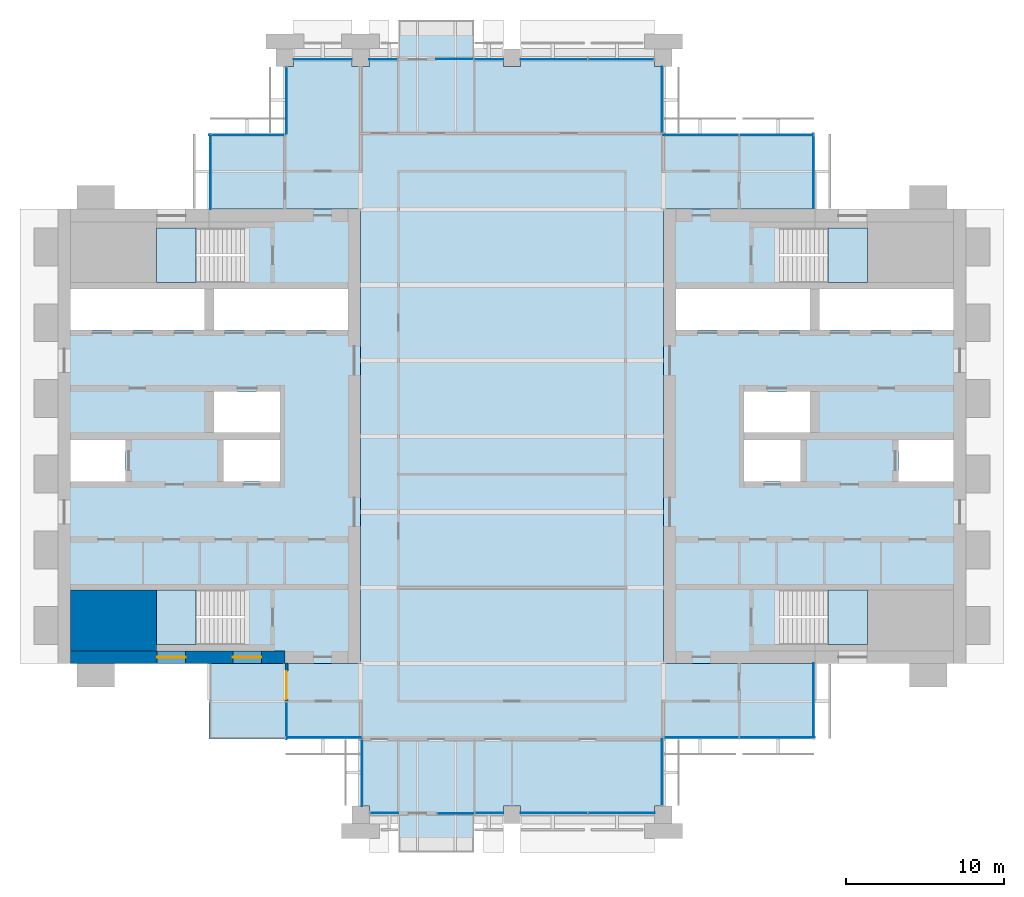
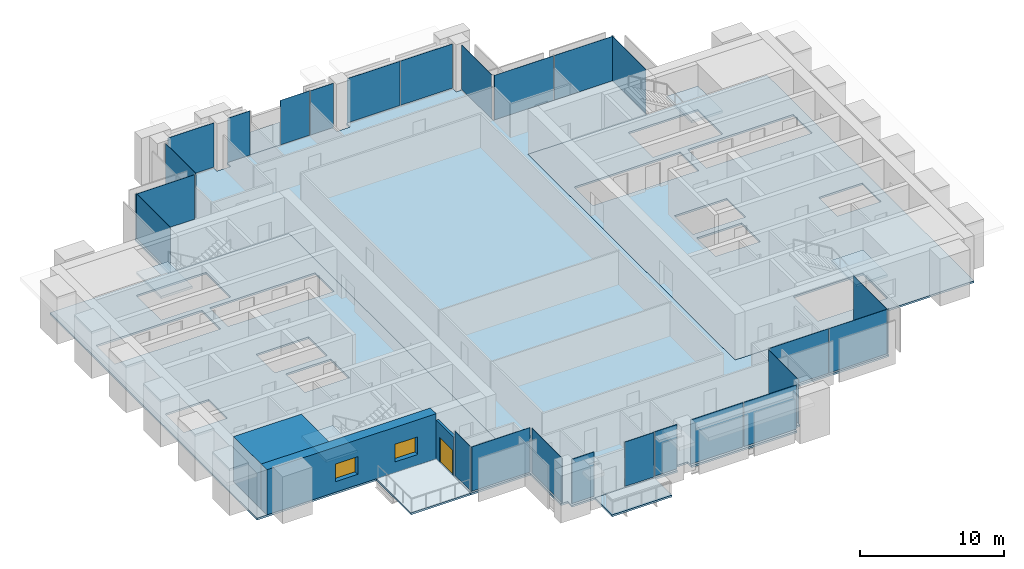
# One storey, part 7 of 14: 25 plates, 10 slabs, 3 walls, 2 windows, 1 door, 3 openings, 22 elements without a shape of their own.
"""IFC4 building model written with IfcOpenShell, lengths in metres."""

from ifc_helpers import new_model, si_unit, direction, frame, frame_2d, origin, origin_2d, place, context, subcontext, project, spatial, polyline, rectangle, outline, extrude, material, layer, layer_set, type_object, element, fill, aggregate, save


model = new_model("IFC4")

# Units and contexts
model_context = context("Model", 3, precision=1e-05, world=origin(), true_north=direction((0.0, 1.0)))
body_context = subcontext(model_context, "Body", "Model", "MODEL_VIEW")
ifc_project = project(units=[si_unit("LENGTHUNIT", "METRE"), si_unit("AREAUNIT", "SQUARE_METRE"), si_unit("VOLUMEUNIT", "CUBIC_METRE"), si_unit("PLANEANGLEUNIT", "RADIAN"), si_unit("MASSUNIT", "GRAM", prefix="KILO")], contexts=[model_context])

# Site, building, storey
site_placement = place(None, origin())
site = spatial("IfcSite", under=ifc_project, at=site_placement, CompositionType="ELEMENT")
building_placement = place(site_placement, origin())
building = spatial("IfcBuilding", under=site, at=building_placement, Name="Baori Bourse Tower", CompositionType="ELEMENT")
storey_placement = place(building_placement, frame((0.0, 0.0, 209.199951171875)))
storey = spatial("IfcBuildingStorey", under=building, at=storey_placement, Name="L45", CompositionType="ELEMENT", Elevation=209.199951171875)

# Slabs
ifc_material_1 = material(Name="Concrete f'c 40 MPa", Category="concrete")
ifc_layer_1 = layer(ifc_material_1, 0.159912109375)
ifc_layer_set_1 = layer_set([ifc_layer_1], Name="BL2 Balcony slab 160")
slab_type_1 = type_object("IfcSlabType", Name="BL2 Balcony slab 160", PredefinedType="FLOOR", material=ifc_layer_set_1)
slab_1_placement = place(storey_placement, frame((0.0, 0.0, -0.159912109375)))
element("IfcSlab", 1, at=slab_1_placement, inside=storey, type_object=slab_type_1, Name="Balcony slab L45 S", PredefinedType="FLOOR", context=body_context, shape_type="SweptSolid", body=[
    extrude(outline(polyline([(21.60009765625, 0.0), (21.60009765625, -2.39990234375), (26.39990234375, -2.39990234375), (26.39990234375, 0.0), (21.60009765625, 0.0)])), origin(), (0.0, 0.0, 1.0), 0.159912109375),
])
slab_2_placement = place(storey_placement, frame((0.0, 0.0, -0.159912109375)))
element("IfcSlab", 2, at=slab_2_placement, inside=storey, type_object=slab_type_1, Name="Balcony slab L45 N", PredefinedType="FLOOR", context=body_context, shape_type="SweptSolid", body=[
    extrude(outline(polyline([(21.60009765625, 48.0), (26.39990234375, 48.0), (26.39990234375, 50.39990234375), (21.60009765625, 50.39990234375), (21.60009765625, 48.0)])), origin(), (0.0, 0.0, 1.0), 0.159912109375),
])

# Curtain wall, plate
ifc_material_2 = material(Name="Pale anodised aluminium", Category="aluminium")
curtain_wall_type_1 = type_object("IfcCurtainWallType", Name="CW2 Curtain wall", PredefinedType="NOTDEFINED", material=ifc_material_2)
curtain_wall_1_placement = place(storey_placement, origin())
curtain_wall_1 = element("IfcCurtainWall", 3, at=curtain_wall_1_placement, inside=storey, type_object=curtain_wall_type_1, Name="Curtain wall CW2 L45 1", PredefinedType="NOTDEFINED")
ifc_material_3 = material(Name="Clear glass", Category="glass")
ifc_layer_2 = layer(ifc_material_3, 0.030029296875)
ifc_layer_set_2 = layer_set([ifc_layer_2], Name="CW2 Curtain wall panel")
plate_type_1 = type_object("IfcPlateType", Name="CW2 Curtain wall panel", PredefinedType="CURTAIN_PANEL", material=ifc_layer_set_2)
plate_1_placement = place(storey_placement, frame((47.909912109375, 40.827392578125, 0.070068359375), z_axis=(0.0, 0.0, 1.0), x_axis=(0.0, 1.0, 0.0)))
plate_1 = element("IfcPlate", 4, at=plate_1_placement, type_object=plate_type_1, Name="Curtain wall CW2 panel", PredefinedType="CURTAIN_PANEL", context=body_context, shape_type="SweptSolid", body=[
    extrude(rectangle(XDim=4.7451171875, YDim=0.030029296875, at=origin_2d()), origin(), (0.0, 0.0, 1.0), 3.77001953125),
])
aggregate(curtain_wall_1, [plate_1])

# Curtain wall, plates
curtain_wall_2_placement = place(storey_placement, origin())
curtain_wall_2 = element("IfcCurtainWall", 5, at=curtain_wall_2_placement, inside=storey, type_object=curtain_wall_type_1, Name="Curtain wall CW2 L45 2", PredefinedType="NOTDEFINED")
plate_2_placement = place(storey_placement, frame((45.586181640625, 43.110107421875, 0.070068359375), z_axis=(0.0, 0.0, 1.0), x_axis=(-1.0, 0.0, 0.0)))
plate_2 = element("IfcPlate", 6, at=plate_2_placement, type_object=plate_type_1, Name="Curtain wall CW2 panel", PredefinedType="CURTAIN_PANEL", context=body_context, shape_type="SweptSolid", body=[
    extrude(rectangle(XDim=4.717529296875, YDim=0.030029296875, at=origin_2d()), origin(), (0.0, 0.0, 1.0), 3.77001953125),
])
plate_3_placement = place(storey_placement, frame((40.7861328125, 43.110107421875, 0.070068359375), z_axis=(0.0, 0.0, 1.0), x_axis=(-1.0, 0.0, 0.0)))
plate_3 = element("IfcPlate", 7, at=plate_3_placement, type_object=plate_type_1, Name="Curtain wall CW2 panel", PredefinedType="CURTAIN_PANEL", context=body_context, shape_type="SweptSolid", body=[
    extrude(rectangle(XDim=4.7724609375, YDim=0.030029296875, at=origin_2d()), origin(), (0.0, 0.0, 1.0), 3.77001953125),
])
aggregate(curtain_wall_2, [plate_2, plate_3])

# Curtain wall, plate
curtain_wall_3_placement = place(storey_placement, origin())
curtain_wall_3 = element("IfcCurtainWall", 8, at=curtain_wall_3_placement, inside=storey, type_object=curtain_wall_type_1, Name="Curtain wall CW2 L45 3", PredefinedType="NOTDEFINED")
plate_4_placement = place(storey_placement, frame((38.31005859375, 45.3525390625, 0.070068359375), z_axis=(0.0, 0.0, 1.0), x_axis=(0.0, 1.0, 0.0)))
plate_4 = element("IfcPlate", 9, at=plate_4_placement, type_object=plate_type_1, Name="Curtain wall CW2 panel", PredefinedType="CURTAIN_PANEL", context=body_context, shape_type="SweptSolid", body=[
    extrude(rectangle(XDim=4.195068359375, YDim=0.030029296875, at=origin_2d()), origin(), (0.0, 0.0, 1.0), 3.77001953125),
])
aggregate(curtain_wall_3, [plate_4])

curtain_wall_4_placement = place(storey_placement, origin())
curtain_wall_4 = element("IfcCurtainWall", 10, at=curtain_wall_4_placement, inside=storey, type_object=curtain_wall_type_1, Name="Curtain wall CW2 L45 7", PredefinedType="NOTDEFINED")
plate_5_placement = place(storey_placement, frame((14.489990234375, 45.297607421875, 0.070068359375), z_axis=(0.0, 0.0, 1.0), x_axis=(0.0, -1.0, 0.0)))
plate_5 = element("IfcPlate", 11, at=plate_5_placement, type_object=plate_type_1, Name="Curtain wall CW2 panel", PredefinedType="CURTAIN_PANEL", context=body_context, shape_type="SweptSolid", body=[
    extrude(rectangle(XDim=4.195068359375, YDim=0.030029296875, at=origin_2d()), origin(), (0.0, 0.0, 1.0), 3.77001953125),
])
aggregate(curtain_wall_4, [plate_5])

curtain_wall_5_placement = place(storey_placement, origin())
curtain_wall_5 = element("IfcCurtainWall", 12, at=curtain_wall_5_placement, inside=storey, type_object=curtain_wall_type_1, Name="Curtain wall CW2 L45 8", PredefinedType="NOTDEFINED")
plate_6_placement = place(storey_placement, frame((11.972412109375, 43.110107421875, 0.070068359375), z_axis=(0.0, 0.0, 1.0), x_axis=(-1.0, 0.0, 0.0)))
plate_6 = element("IfcPlate", 13, at=plate_6_placement, type_object=plate_type_1, Name="Curtain wall CW2 panel", PredefinedType="CURTAIN_PANEL", context=body_context, shape_type="SweptSolid", body=[
    extrude(rectangle(XDim=4.7451171875, YDim=0.030029296875, at=origin_2d()), origin(), (0.0, 0.0, 1.0), 3.77001953125),
])
aggregate(curtain_wall_5, [plate_6])

curtain_wall_6_placement = place(storey_placement, origin())
curtain_wall_6 = element("IfcCurtainWall", 14, at=curtain_wall_6_placement, inside=storey, type_object=curtain_wall_type_1, Name="Curtain wall CW2 L45 9", PredefinedType="NOTDEFINED")
plate_7_placement = place(storey_placement, frame((9.68994140625, 40.7724609375, 0.070068359375), z_axis=(0.0, 0.0, 1.0), x_axis=(0.0, -1.0, 0.0)))
plate_7 = element("IfcPlate", 15, at=plate_7_placement, type_object=plate_type_1, Name="Curtain wall CW2 panel", PredefinedType="CURTAIN_PANEL", context=body_context, shape_type="SweptSolid", body=[
    extrude(rectangle(XDim=4.7451171875, YDim=0.030029296875, at=origin_2d()), origin(), (0.0, 0.0, 1.0), 3.77001953125),
])
aggregate(curtain_wall_6, [plate_7])

curtain_wall_7_placement = place(storey_placement, origin())
curtain_wall_7 = element("IfcCurtainWall", 16, at=curtain_wall_7_placement, inside=storey, type_object=curtain_wall_type_1, Name="Curtain wall CW2 L45 10", PredefinedType="NOTDEFINED")
plate_8_placement = place(storey_placement, frame((14.489990234375, 5.972412109375, 0.070068359375), z_axis=(0.0, 0.0, 1.0), x_axis=(0.0, -1.0, 0.0)))
plate_8 = element("IfcPlate", 17, at=plate_8_placement, type_object=plate_type_1, Name="Curtain wall CW2 panel", PredefinedType="CURTAIN_PANEL", context=body_context, shape_type="SweptSolid", body=[
    extrude(rectangle(XDim=2.344970703125, YDim=0.030029296875, at=origin_2d()), origin(), (0.0, 0.0, 1.0), 3.77001953125),
])
aggregate(curtain_wall_7, [plate_8])

curtain_wall_8_placement = place(storey_placement, origin())
curtain_wall_8 = element("IfcCurtainWall", 18, at=curtain_wall_8_placement, inside=storey, type_object=curtain_wall_type_1, Name="Curtain wall CW2 L45 11", PredefinedType="NOTDEFINED")
plate_9_placement = place(storey_placement, frame((16.827392578125, 4.889892578125, 0.070068359375), z_axis=(0.0, 0.0, 1.0), x_axis=(1.0, 0.0, 0.0)))
plate_9 = element("IfcPlate", 19, at=plate_9_placement, type_object=plate_type_1, Name="Curtain wall CW2 panel", PredefinedType="CURTAIN_PANEL", context=body_context, shape_type="SweptSolid", body=[
    extrude(rectangle(XDim=4.7451171875, YDim=0.030029296875, at=origin_2d()), origin(), (0.0, 0.0, 1.0), 3.77001953125),
])
aggregate(curtain_wall_8, [plate_9])

curtain_wall_9_placement = place(storey_placement, origin())
curtain_wall_9 = element("IfcCurtainWall", 20, at=curtain_wall_9_placement, inside=storey, type_object=curtain_wall_type_1, Name="Curtain wall CW2 L45 12", PredefinedType="NOTDEFINED")
plate_10_placement = place(storey_placement, frame((19.2900390625, 2.6474609375, 0.070068359375), z_axis=(0.0, 0.0, 1.0), x_axis=(0.0, -1.0, 0.0)))
plate_10 = element("IfcPlate", 21, at=plate_10_placement, type_object=plate_type_1, Name="Curtain wall CW2 panel", PredefinedType="CURTAIN_PANEL", context=body_context, shape_type="SweptSolid", body=[
    extrude(rectangle(XDim=4.195068359375, YDim=0.030029296875, at=origin_2d()), origin(), (0.0, 0.0, 1.0), 3.77001953125),
])
aggregate(curtain_wall_9, [plate_10])

curtain_wall_10_placement = place(storey_placement, origin())
curtain_wall_10 = element("IfcCurtainWall", 22, at=curtain_wall_10_placement, inside=storey, type_object=curtain_wall_type_1, Name="Curtain wall CW2 L45 16", PredefinedType="NOTDEFINED")
plate_11_placement = place(storey_placement, frame((38.31005859375, 2.702392578125, 0.070068359375), z_axis=(0.0, 0.0, 1.0), x_axis=(0.0, 1.0, 0.0)))
plate_11 = element("IfcPlate", 23, at=plate_11_placement, type_object=plate_type_1, Name="Curtain wall CW2 panel", PredefinedType="CURTAIN_PANEL", context=body_context, shape_type="SweptSolid", body=[
    extrude(rectangle(XDim=4.195068359375, YDim=0.030029296875, at=origin_2d()), origin(), (0.0, 0.0, 1.0), 3.77001953125),
])
aggregate(curtain_wall_10, [plate_11])

# Curtain wall, plates
curtain_wall_11_placement = place(storey_placement, origin())
curtain_wall_11 = element("IfcCurtainWall", 24, at=curtain_wall_11_placement, inside=storey, type_object=curtain_wall_type_1, Name="Curtain wall CW2 L45 17", PredefinedType="NOTDEFINED")
plate_12_placement = place(storey_placement, frame((40.813720703125, 4.889892578125, 0.070068359375), z_axis=(0.0, 0.0, 1.0), x_axis=(1.0, 0.0, 0.0)))
plate_12 = element("IfcPlate", 25, at=plate_12_placement, type_object=plate_type_1, Name="Curtain wall CW2 panel", PredefinedType="CURTAIN_PANEL", context=body_context, shape_type="SweptSolid", body=[
    extrude(rectangle(XDim=4.717529296875, YDim=0.030029296875, at=origin_2d()), origin(), (0.0, 0.0, 1.0), 3.77001953125),
])
plate_13_placement = place(storey_placement, frame((45.61376953125, 4.889892578125, 0.070068359375), z_axis=(0.0, 0.0, 1.0), x_axis=(1.0, 0.0, 0.0)))
plate_13 = element("IfcPlate", 26, at=plate_13_placement, type_object=plate_type_1, Name="Curtain wall CW2 panel", PredefinedType="CURTAIN_PANEL", context=body_context, shape_type="SweptSolid", body=[
    extrude(rectangle(XDim=4.7724609375, YDim=0.030029296875, at=origin_2d()), origin(), (0.0, 0.0, 1.0), 3.77001953125),
])
aggregate(curtain_wall_11, [plate_12, plate_13])

# Curtain wall, plate
curtain_wall_12_placement = place(storey_placement, origin())
curtain_wall_12 = element("IfcCurtainWall", 27, at=curtain_wall_12_placement, inside=storey, type_object=curtain_wall_type_1, Name="Curtain wall CW2 L45 18", PredefinedType="NOTDEFINED")
plate_14_placement = place(storey_placement, frame((47.909912109375, 7.2275390625, 0.070068359375), z_axis=(0.0, 0.0, 1.0), x_axis=(0.0, 1.0, 0.0)))
plate_14 = element("IfcPlate", 28, at=plate_14_placement, type_object=plate_type_1, Name="Curtain wall CW2 panel", PredefinedType="CURTAIN_PANEL", context=body_context, shape_type="SweptSolid", body=[
    extrude(rectangle(XDim=4.7451171875, YDim=0.030029296875, at=origin_2d()), origin(), (0.0, 0.0, 1.0), 3.77001953125),
])
aggregate(curtain_wall_12, [plate_14])

# Curtain wall, plates
ifc_material_4 = material(Name="Pale anodised aluminium", Category="aluminium")
curtain_wall_type_2 = type_object("IfcCurtainWallType", Name="CW5 Curtain wall", PredefinedType="NOTDEFINED", material=ifc_material_4)
curtain_wall_13_placement = place(storey_placement, origin())
curtain_wall_13 = element("IfcCurtainWall", 29, at=curtain_wall_13_placement, inside=storey, type_object=curtain_wall_type_2, Name="Curtain wall CW5 L45 4", PredefinedType="NOTDEFINED")
ifc_material_5 = material(Name="Clear glass", Category="glass")
ifc_layer_3 = layer(ifc_material_5, 0.035888671875)
ifc_layer_set_3 = layer_set([ifc_layer_3], Name="CW5 Curtain wall panel")
plate_type_2 = type_object("IfcPlateType", Name="CW5 Curtain wall panel", PredefinedType="CURTAIN_PANEL", material=ifc_layer_set_3)
plate_15_placement = place(storey_placement, frame((35.708740234375, 47.889892578125, 0.085205078125), z_axis=(0.0, 0.0, 1.0), x_axis=(-1.0, 0.0, 0.0)))
plate_15 = element("IfcPlate", 30, at=plate_15_placement, type_object=plate_type_2, Name="Curtain wall CW5 panel", PredefinedType="CURTAIN_PANEL", context=body_context, shape_type="SweptSolid", body=[
    extrude(rectangle(XDim=4.152587890625, YDim=0.035888671875, at=origin_2d()), origin(), (0.0, 0.0, 1.0), 3.7548828125),
])
plate_16_placement = place(storey_placement, frame((31.458740234375, 47.889892578125, 0.085205078125), z_axis=(0.0, 0.0, 1.0), x_axis=(-1.0, 0.0, 0.0)))
plate_16 = element("IfcPlate", 31, at=plate_16_placement, type_object=plate_type_2, Name="Curtain wall CW5 panel", PredefinedType="CURTAIN_PANEL", context=body_context, shape_type="SweptSolid", body=[
    extrude(rectangle(XDim=4.217529296875, YDim=0.035888671875, at=origin_2d()), origin(), (0.0, 0.0, 1.0), 3.7548828125),
])
plate_17_placement = place(storey_placement, frame((27.324951171875, 47.889892578125, 0.085205078125), z_axis=(0.0, 0.0, 1.0), x_axis=(-1.0, 0.0, 0.0)))
plate_17 = element("IfcPlate", 32, at=plate_17_placement, type_object=plate_type_2, Name="Curtain wall CW5 panel", PredefinedType="CURTAIN_PANEL", context=body_context, shape_type="SweptSolid", body=[
    extrude(rectangle(XDim=1.85009765625, YDim=0.035888671875, at=origin_2d()), origin(), (0.0, 0.0, 1.0), 3.7548828125),
])
aggregate(curtain_wall_13, [plate_15, plate_16, plate_17])

curtain_wall_14_placement = place(storey_placement, origin())
curtain_wall_14 = element("IfcCurtainWall", 33, at=curtain_wall_14_placement, inside=storey, type_object=curtain_wall_type_2, Name="Curtain wall CW5 L45 6", PredefinedType="NOTDEFINED")
plate_18_placement = place(storey_placement, frame((20.642578125, 47.889892578125, 0.085205078125), z_axis=(0.0, 0.0, 1.0), x_axis=(-1.0, 0.0, 0.0)))
plate_18 = element("IfcPlate", 34, at=plate_18_placement, type_object=plate_type_2, Name="Curtain wall CW5 panel", PredefinedType="CURTAIN_PANEL", context=body_context, shape_type="SweptSolid", body=[
    extrude(rectangle(XDim=1.784912109375, YDim=0.035888671875, at=origin_2d()), origin(), (0.0, 0.0, 1.0), 3.7548828125),
])
plate_19_placement = place(storey_placement, frame((16.800048828125, 47.889892578125, 0.085205078125), z_axis=(0.0, 0.0, 1.0), x_axis=(-1.0, 0.0, 0.0)))
plate_19 = element("IfcPlate", 35, at=plate_19_placement, type_object=plate_type_2, Name="Curtain wall CW5 panel", PredefinedType="CURTAIN_PANEL", context=body_context, shape_type="SweptSolid", body=[
    extrude(rectangle(XDim=3.699951171875, YDim=0.035888671875, at=origin_2d()), origin(), (0.0, 0.0, 1.0), 3.7548828125),
])
aggregate(curtain_wall_14, [plate_18, plate_19])

# Curtain wall, plate
curtain_wall_15_placement = place(storey_placement, origin())
curtain_wall_15 = element("IfcCurtainWall", 36, at=curtain_wall_15_placement, inside=storey, type_object=curtain_wall_type_2, Name="Curtain wall CW5 L45 13", PredefinedType="NOTDEFINED")
plate_20_placement = place(storey_placement, frame((20.70751953125, 0.110107421875, 0.085205078125), z_axis=(0.0, 0.0, 1.0), x_axis=(1.0, 0.0, 0.0)))
plate_20 = element("IfcPlate", 37, at=plate_20_placement, type_object=plate_type_2, Name="Curtain wall CW5 panel", PredefinedType="CURTAIN_PANEL", context=body_context, shape_type="SweptSolid", body=[
    extrude(rectangle(XDim=1.784912109375, YDim=0.035888671875, at=origin_2d()), origin(), (0.0, 0.0, 1.0), 3.7548828125),
])
aggregate(curtain_wall_15, [plate_20])

# Curtain wall, plates
curtain_wall_16_placement = place(storey_placement, origin())
curtain_wall_16 = element("IfcCurtainWall", 38, at=curtain_wall_16_placement, inside=storey, type_object=curtain_wall_type_2, Name="Curtain wall CW5 L45 15", PredefinedType="NOTDEFINED")
plate_21_placement = place(storey_placement, frame((27.357421875, 0.110107421875, 0.085205078125), z_axis=(0.0, 0.0, 1.0), x_axis=(1.0, 0.0, 0.0)))
plate_21 = element("IfcPlate", 39, at=plate_21_placement, type_object=plate_type_2, Name="Curtain wall CW5 panel", PredefinedType="CURTAIN_PANEL", context=body_context, shape_type="SweptSolid", body=[
    extrude(rectangle(XDim=1.784912109375, YDim=0.035888671875, at=origin_2d()), origin(), (0.0, 0.0, 1.0), 3.7548828125),
])
plate_22_placement = place(storey_placement, frame((31.458740234375, 0.110107421875, 0.085205078125), z_axis=(0.0, 0.0, 1.0), x_axis=(1.0, 0.0, 0.0)))
plate_22 = element("IfcPlate", 40, at=plate_22_placement, type_object=plate_type_2, Name="Curtain wall CW5 panel", PredefinedType="CURTAIN_PANEL", context=body_context, shape_type="SweptSolid", body=[
    extrude(rectangle(XDim=4.217529296875, YDim=0.035888671875, at=origin_2d()), origin(), (0.0, 0.0, 1.0), 3.7548828125),
])
plate_23_placement = place(storey_placement, frame((35.7412109375, 0.110107421875, 0.085205078125), z_axis=(0.0, 0.0, 1.0), x_axis=(1.0, 0.0, 0.0)))
plate_23 = element("IfcPlate", 41, at=plate_23_placement, type_object=plate_type_2, Name="Curtain wall CW5 panel", PredefinedType="CURTAIN_PANEL", context=body_context, shape_type="SweptSolid", body=[
    extrude(rectangle(XDim=4.217529296875, YDim=0.035888671875, at=origin_2d()), origin(), (0.0, 0.0, 1.0), 3.7548828125),
])
aggregate(curtain_wall_16, [plate_21, plate_22, plate_23])

# Curtain wall, plate
ifc_material_6 = material(Name="Pale anodised aluminium", Category="aluminium")
curtain_wall_type_3 = type_object("IfcCurtainWallType", Name="CW6 Curtain wall", PredefinedType="NOTDEFINED", material=ifc_material_6)
curtain_wall_17_placement = place(storey_placement, origin())
curtain_wall_17 = element("IfcCurtainWall", 42, at=curtain_wall_17_placement, inside=storey, type_object=curtain_wall_type_3, Name="Curtain wall CW6 L45 5", PredefinedType="NOTDEFINED")
ifc_material_7 = material(Name="Clear glass", Category="glass")
ifc_layer_4 = layer(ifc_material_7, 0.028076171875)
ifc_layer_set_4 = layer_set([ifc_layer_4], Name="CW6 Curtain wall panel")
plate_type_3 = type_object("IfcPlateType", Name="CW6 Curtain wall panel", PredefinedType="CURTAIN_PANEL", material=ifc_layer_set_4)
plate_24_placement = place(storey_placement, frame((25.175048828125, 47.925048828125, 0.065185546875), z_axis=(0.0, 0.0, 1.0), x_axis=(-1.0, 0.0, 0.0)))
plate_24 = element("IfcPlate", 43, at=plate_24_placement, type_object=plate_type_3, Name="Curtain wall CW6 panel", PredefinedType="CURTAIN_PANEL", context=body_context, shape_type="SweptSolid", body=[
    extrude(rectangle(XDim=2.35009765625, YDim=0.028076171875, at=origin_2d()), origin(), (0.0, 0.0, 1.0), 3.77490234375),
])
aggregate(curtain_wall_17, [plate_24])

curtain_wall_18_placement = place(storey_placement, origin())
curtain_wall_18 = element("IfcCurtainWall", 44, at=curtain_wall_18_placement, inside=storey, type_object=curtain_wall_type_3, Name="Curtain wall CW6 L45 14", PredefinedType="NOTDEFINED")
plate_25_placement = place(storey_placement, frame((25.22509765625, 0.074951171875, 0.065185546875), z_axis=(0.0, 0.0, 1.0), x_axis=(1.0, 0.0, 0.0)))
plate_25 = element("IfcPlate", 45, at=plate_25_placement, type_object=plate_type_3, Name="Curtain wall CW6 panel", PredefinedType="CURTAIN_PANEL", context=body_context, shape_type="SweptSolid", body=[
    extrude(rectangle(XDim=2.35009765625, YDim=0.028076171875, at=origin_2d()), origin(), (0.0, 0.0, 1.0), 3.77490234375),
])
aggregate(curtain_wall_18, [plate_25])

# Slabs
ifc_material_8 = material(Name="Concrete f'c 50 MPa", Category="concrete")
ifc_layer_5 = layer(ifc_material_8, 0.159912109375)
ifc_layer_set_5 = layer_set([ifc_layer_5], Name="Core slab 160")
slab_type_2 = type_object("IfcSlabType", Name="Core slab 160", PredefinedType="FLOOR", material=ifc_layer_set_5)
slab_3_placement = place(storey_placement, frame((0.0, 0.0, -0.159912109375)))
element("IfcSlab", 46, at=slab_3_placement, inside=storey, type_object=slab_type_2, Name="Core floor slab W01", PredefinedType="FLOOR", context=body_context, shape_type="SweptSolid", body=[
    extrude(outline(polyline([(19.199951171875, 38.39990234375), (0.0, 38.39990234375), (0.0, 9.60009765625), (19.199951171875, 9.60009765625), (19.199951171875, 38.39990234375)]), holes=[polyline([(9.89990234375, 33.35009765625), (18.39990234375, 33.35009765625), (18.39990234375, 30.75), (9.89990234375, 30.75), (9.89990234375, 33.35009765625)]), polyline([(10.5, 21.14990234375), (10.5, 23.75), (14.10009765625, 23.75), (14.10009765625, 21.14990234375), (10.5, 21.14990234375)]), polyline([(14.10009765625, 24.25), (9.89990234375, 24.25), (9.89990234375, 26.85009765625), (14.10009765625, 26.85009765625), (14.10009765625, 24.25)]), polyline([(6.25, 14.25), (11.84912109375, 14.25), (11.84912109375, 10.800048828125), (6.25, 10.800048828125), (6.25, 14.25)]), polyline([(11.84912109375, 37.199951171875), (11.84912109375, 33.75), (6.25, 33.75), (6.25, 37.199951171875), (11.84912109375, 37.199951171875)]), polyline([(0.800048828125, 30.75), (0.800048828125, 33.35009765625), (9.300048828125, 33.35009765625), (9.300048828125, 30.75), (0.800048828125, 30.75)]), polyline([(4.300048828125, 23.75), (4.300048828125, 21.14990234375), (0.800048828125, 21.14990234375), (0.800048828125, 23.75), (4.300048828125, 23.75)])]), origin(), (0.0, 0.0, 1.0), 0.159912109375),
])
slab_4_placement = place(storey_placement, frame((0.0, 0.0, -0.159912109375)))
element("IfcSlab", 47, at=slab_4_placement, inside=storey, type_object=slab_type_2, Name="Core floor slab E01", PredefinedType="FLOOR", context=body_context, shape_type="SweptSolid", body=[
    extrude(outline(polyline([(57.60009765625, 9.60009765625), (57.60009765625, 38.39990234375), (38.39990234375, 38.39990234375), (38.39990234375, 9.60009765625), (57.60009765625, 9.60009765625)]), holes=[polyline([(48.300048828125, 33.35009765625), (56.800048828125, 33.35009765625), (56.800048828125, 30.75), (48.300048828125, 30.75), (48.300048828125, 33.35009765625)]), polyline([(56.800048828125, 21.14990234375), (53.300048828125, 21.14990234375), (53.300048828125, 23.75), (56.800048828125, 23.75), (56.800048828125, 21.14990234375)]), polyline([(45.750732421875, 14.25), (51.35009765625, 14.25), (51.35009765625, 10.800048828125), (45.750732421875, 10.800048828125), (45.750732421875, 14.25)]), polyline([(51.35009765625, 37.199951171875), (51.35009765625, 33.75), (45.750732421875, 33.75), (45.750732421875, 37.199951171875), (51.35009765625, 37.199951171875)]), polyline([(43.5, 24.25), (43.5, 26.85009765625), (47.699951171875, 26.85009765625), (47.699951171875, 24.25), (43.5, 24.25)]), polyline([(47.699951171875, 33.35009765625), (47.699951171875, 30.75), (39.199951171875, 30.75), (39.199951171875, 33.35009765625), (47.699951171875, 33.35009765625)]), polyline([(43.5, 23.75), (47.10009765625, 23.75), (47.10009765625, 21.14990234375), (43.5, 21.14990234375), (43.5, 23.75)])]), origin(), (0.0, 0.0, 1.0), 0.159912109375),
])

# Stair, slab
ifc_material_9 = material(Name="Concrete f'c 50 MPa", Category="concrete")
stair_type = type_object("IfcStairType", Name="Core stair", PredefinedType="HALF_TURN_STAIR", material=ifc_material_9)
stair_1_placement = place(storey_placement, origin())
stair_1 = element("IfcStair", 48, at=stair_1_placement, inside=storey, type_object=stair_type, Name="L45 Stair WA", PredefinedType="HALF_TURN_STAIR")
ifc_material_10 = material(Name="Concrete f'c 50 MPa", Category="concrete")
slab_type_3 = type_object("IfcSlabType", Name="Core stair landing", PredefinedType="LANDING", material=ifc_material_10)
slab_5_placement = place(storey_placement, frame((0.0, 0.0, 1.800048828125)))
slab_5 = element("IfcSlab", 49, at=slab_5_placement, type_object=slab_type_3, Name="ST1 landing 1", PredefinedType="LANDING", context=body_context, shape_type="SweptSolid", body=[
    extrude(outline(polyline([(8.77001953125, 14.25), (6.25, 14.25), (6.25, 10.800048828125), (8.77001953125, 10.800048828125), (8.77001953125, 14.25)])), origin(), (0.0, 0.0, 1.0), 0.199951171875),
])
aggregate(stair_1, [slab_5])

stair_2_placement = place(storey_placement, origin())
stair_2 = element("IfcStair", 50, at=stair_2_placement, inside=storey, type_object=stair_type, Name="L45 Stair WB", PredefinedType="HALF_TURN_STAIR")
slab_6_placement = place(storey_placement, frame((0.0, 0.0, 1.800048828125)))
slab_6 = element("IfcSlab", 51, at=slab_6_placement, type_object=slab_type_3, Name="ST2 landing 1", PredefinedType="LANDING", context=body_context, shape_type="SweptSolid", body=[
    extrude(outline(polyline([(8.77001953125, 37.199951171875), (6.25, 37.199951171875), (6.25, 33.75), (8.77001953125, 33.75), (8.77001953125, 37.199951171875)])), origin(), (0.0, 0.0, 1.0), 0.199951171875),
])
aggregate(stair_2, [slab_6])

stair_3_placement = place(storey_placement, origin())
stair_3 = element("IfcStair", 52, at=stair_3_placement, inside=storey, type_object=stair_type, Name="L45 Stair EA", PredefinedType="HALF_TURN_STAIR")
slab_7_placement = place(storey_placement, frame((0.0, 0.0, 1.800048828125)))
slab_7 = element("IfcSlab", 53, at=slab_7_placement, type_object=slab_type_3, Name="ST3 landing 1", PredefinedType="LANDING", context=body_context, shape_type="SweptSolid", body=[
    extrude(outline(polyline([(48.830078125, 10.800048828125), (51.35009765625, 10.800048828125), (51.35009765625, 14.25), (48.830078125, 14.25), (48.830078125, 10.800048828125)])), origin(), (0.0, 0.0, 1.0), 0.199951171875),
])
aggregate(stair_3, [slab_7])

stair_4_placement = place(storey_placement, origin())
stair_4 = element("IfcStair", 54, at=stair_4_placement, inside=storey, type_object=stair_type, Name="L45 Stair EB", PredefinedType="HALF_TURN_STAIR")
slab_8_placement = place(storey_placement, frame((0.0, 0.0, 1.800048828125)))
slab_8 = element("IfcSlab", 55, at=slab_8_placement, type_object=slab_type_3, Name="ST4 landing 1", PredefinedType="LANDING", context=body_context, shape_type="SweptSolid", body=[
    extrude(outline(polyline([(48.830078125, 33.75), (51.35009765625, 33.75), (51.35009765625, 37.199951171875), (48.830078125, 37.199951171875), (48.830078125, 33.75)])), origin(), (0.0, 0.0, 1.0), 0.199951171875),
])
aggregate(stair_4, [slab_8])

# Slabs
ifc_material_11 = material(Name="Concrete f'c 40 MPa", Category="concrete")
ifc_layer_6 = layer(ifc_material_11, 0.159912109375)
ifc_layer_set_6 = layer_set([ifc_layer_6], Name="Floor slab 160")
slab_type_4 = type_object("IfcSlabType", Name="Floor slab 160", PredefinedType="FLOOR", material=ifc_layer_set_6)
slab_9_placement = place(storey_placement, frame((0.0, 0.0, -0.159912109375)))
element("IfcSlab", 56, at=slab_9_placement, inside=storey, type_object=slab_type_4, Name="Floor slab L45", PredefinedType="FLOOR", context=body_context, shape_type="SweptSolid", body=[
    extrude(outline(polyline([(19.199951171875, 4.800048828125), (14.39990234375, 4.800048828125), (14.39990234375, 9.60009765625), (19.199951171875, 9.60009765625), (19.199951171875, 38.39990234375), (9.60009765625, 38.39990234375), (9.60009765625, 43.199951171875), (14.39990234375, 43.199951171875), (14.39990234375, 47.449951171875), (14.949951171875, 47.449951171875), (14.949951171875, 48.0), (18.64990234375, 48.0), (18.64990234375, 47.449951171875), (19.75, 47.449951171875), (19.75, 48.0), (28.25, 48.0), (28.25, 47.449951171875), (29.35009765625, 47.449951171875), (29.35009765625, 48.0), (37.85009765625, 48.0), (37.85009765625, 47.449951171875), (38.39990234375, 47.449951171875), (38.39990234375, 43.199951171875), (48.0, 43.199951171875), (48.0, 38.39990234375), (38.39990234375, 38.39990234375), (38.39990234375, 9.60009765625), (48.0, 9.60009765625), (48.0, 4.800048828125), (38.39990234375, 4.800048828125), (38.39990234375, 0.550048828125), (37.85009765625, 0.550048828125), (37.85009765625, 0.0), (29.35009765625, 0.0), (29.35009765625, 0.550048828125), (28.25, 0.550048828125), (28.25, 0.0), (19.75, 0.0), (19.75, 0.550048828125), (19.199951171875, 0.550048828125), (19.199951171875, 4.800048828125)])), origin(), (0.0, 0.0, 1.0), 0.159912109375),
])
ifc_material_12 = material(Name="Concrete f'c 40 MPa", Category="concrete")
ifc_layer_7 = layer(ifc_material_12, 0.159912109375)
ifc_layer_set_7 = layer_set([ifc_layer_7], Name="Terrace slab 160")
slab_type_5 = type_object("IfcSlabType", Name="Terrace slab 160", PredefinedType="ROOF", material=ifc_layer_set_7)
slab_10_placement = place(storey_placement, frame((0.0, 0.0, -0.159912109375)))
element("IfcSlab", 57, at=slab_10_placement, inside=storey, type_object=slab_type_5, Name="Terrace slab SW L45", PredefinedType="ROOF", context=body_context, shape_type="SweptSolid", body=[
    extrude(outline(polyline([(14.39697265625, 4.802978515625), (9.60302734375, 4.802978515625), (9.60302734375, 9.596923828125), (14.39697265625, 9.596923828125), (14.39697265625, 4.802978515625)])), origin(), (0.0, 0.0, 1.0), 0.159912109375),
])

# Wall
ifc_material_13 = material(Name="Concrete f'c 50 MPa", Category="concrete")
wall_type_1 = type_object("IfcWallType", Name="Core corner block f'c 50", PredefinedType="SHEAR", material=ifc_material_13)
wall_1_placement = place(storey_placement, frame((0.800048828125, 12.324951171875, 0.0), z_axis=(0.0, 0.0, 1.0), x_axis=(1.0, 0.0, 0.0)))
element("IfcWall", 58, at=wall_1_placement, inside=storey, type_object=wall_type_1, Name="Core wall W05", PredefinedType="SHEAR", context=body_context, shape_type="SweptSolid", body=[
    extrude(rectangle(XDim=5.449951171875, YDim=3.85009765625, at=frame_2d((2.72509765625, 0.0))), origin(), (0.0, 0.0, 1.0), 3.840087890625),
])

# Wall, openings, windows
ifc_material_14 = material(Name="Concrete f'c 50 MPa", Category="concrete")
ifc_layer_8 = layer(ifc_material_14, 0.800048828125)
ifc_layer_set_8 = layer_set([ifc_layer_8], Name="Core wall 800 f'c 50")
wall_type_2 = type_object("IfcWallType", Name="Core wall 800 f'c 50", PredefinedType="SHEAR", material=ifc_layer_set_8)
wall_2_placement = place(storey_placement, frame((14.39990234375, 10.0, 0.0), z_axis=(0.0, 0.0, 1.0), x_axis=(-1.0, 0.0, 0.0)))
wall_2 = element("IfcWall", 59, at=wall_2_placement, inside=storey, type_object=wall_type_2, Name="Core wall W02", PredefinedType="SHEAR", context=body_context, shape_type="SweptSolid", body=[
    extrude(rectangle(XDim=13.599853515625, YDim=0.800048828125, at=frame_2d((6.7998046875, 0.0))), origin(), (0.0, 0.0, 1.0), 3.840087890625),
])
opening_1_placement = place(wall_2_placement, frame((6.300048828125, 0.0, 0.89990234375)))
opening_1 = element("IfcOpeningElement", 60, at=opening_1_placement, cuts=wall_2, Name="Opening L45-KW103", PredefinedType="OPENING", context=body_context, shape_type="SweptSolid", body=[
    extrude(rectangle(XDim=1.800048828125, YDim=1.5, at=frame_2d((0.89990234375, 0.75))), frame((0.0, 0.409912109375, 0.0), z_axis=(0.0, -1.0, 0.0), x_axis=(1.0, 0.0, 0.0)), (0.0, 0.0, 1.0), 0.820068359375),
])
opening_2_placement = place(wall_2_placement, frame((1.5, 0.0, 0.89990234375)))
opening_2 = element("IfcOpeningElement", 61, at=opening_2_placement, cuts=wall_2, Name="Opening L45-KW104", PredefinedType="OPENING", context=body_context, shape_type="SweptSolid", body=[
    extrude(rectangle(XDim=1.800048828125, YDim=1.5, at=frame_2d((0.89990234375, 0.75))), frame((0.0, 0.409912109375, 0.0), z_axis=(0.0, -1.0, 0.0), x_axis=(1.0, 0.0, 0.0)), (0.0, 0.0, 1.0), 0.820068359375),
])
ifc_material_15 = material(Name="Pale anodised aluminium", Category="aluminium")
window_type = type_object("IfcWindowType", Name="Stair window 1800 x 1500", PartitioningType="SINGLE_PANEL", PredefinedType="WINDOW", material=ifc_material_15)
window_1_placement = place(opening_1_placement, origin())
window_1 = element("IfcWindow", 62, at=window_1_placement, inside=storey, type_object=window_type, Name="Stair window W L45 3", OverallHeight=1.5, OverallWidth=1.800048828125, PartitioningType="SINGLE_PANEL", PredefinedType="WINDOW", context=body_context, shape_type="SweptSolid", body=[
    extrude(rectangle(XDim=1.800048828125, YDim=1.5, at=frame_2d((0.89990234375, 0.75))), frame((0.0, 0.030029296875, 0.0), z_axis=(0.0, -1.0, 0.0), x_axis=(1.0, 0.0, 0.0)), (0.0, 0.0, 1.0), 0.06005859375),
])
fill(opening_1, window_1)
window_2_placement = place(opening_2_placement, origin())
window_2 = element("IfcWindow", 63, at=window_2_placement, inside=storey, type_object=window_type, Name="Stair window W L45 4", OverallHeight=1.5, OverallWidth=1.800048828125, PartitioningType="SINGLE_PANEL", PredefinedType="WINDOW", context=body_context, shape_type="SweptSolid", body=[
    extrude(rectangle(XDim=1.800048828125, YDim=1.5, at=frame_2d((0.89990234375, 0.75))), frame((0.0, 0.030029296875, 0.0), z_axis=(0.0, -1.0, 0.0), x_axis=(1.0, 0.0, 0.0)), (0.0, 0.0, 1.0), 0.06005859375),
])
fill(opening_2, window_2)

# Wall, opening, door
ifc_material_16 = material(Name="Pale anodised aluminium", Category="aluminium")
ifc_layer_9 = layer(ifc_material_16, 0.199951171875)
ifc_layer_set_9 = layer_set([ifc_layer_9], Name="EW1 External wall bay")
wall_type_3 = type_object("IfcWallType", Name="EW1 External wall bay", PredefinedType="SOLIDWALL", material=ifc_layer_set_9)
wall_3_placement = place(storey_placement, frame((14.5, 9.614990234375, 0.0), z_axis=(0.0, 0.0, 1.0), x_axis=(0.0, -1.0, 0.0)))
wall_3 = element("IfcWall", 64, at=wall_3_placement, inside=storey, type_object=wall_type_3, Name="External wall bay L45 2", PredefinedType="SOLIDWALL", context=body_context, shape_type="SweptSolid", body=[
    extrude(rectangle(XDim=2.4150390625, YDim=0.199951171875, at=frame_2d((1.20751953125, 0.0))), origin(), (0.0, 0.0, 1.0), 3.29638671875),
])
opening_3_placement = place(wall_3_placement, frame((0.5, 0.0, 0.0)))
opening_3 = element("IfcOpeningElement", 65, at=opening_3_placement, cuts=wall_3, Name="Opening L45-D92", PredefinedType="OPENING", context=body_context, shape_type="SweptSolid", body=[
    extrude(rectangle(XDim=1.800048828125, YDim=2.10009765625, at=frame_2d((0.89990234375, 1.050048828125))), frame((0.0, 0.10986328125, 0.0), z_axis=(0.0, -1.0, 0.0), x_axis=(1.0, 0.0, 0.0)), (0.0, 0.0, 1.0), 0.219970703125),
])
ifc_material_17 = material(Name="Pale anodised aluminium", Category="aluminium")
door_type = type_object("IfcDoorType", Name="TR2 Terrace door 1800", OperationType="DOUBLE_DOOR_SINGLE_SWING", PredefinedType="DOOR", material=ifc_material_17)
door_placement = place(opening_3_placement, origin())
door = element("IfcDoor", 66, at=door_placement, inside=storey, type_object=door_type, Name="Terrace door L45 2", OperationType="SINGLE_SWING_LEFT", OverallHeight=2.10009765625, OverallWidth=1.800048828125, PredefinedType="DOOR", context=body_context, shape_type="SweptSolid", body=[
    extrude(rectangle(XDim=1.800048828125, YDim=2.10009765625, at=frame_2d((0.89990234375, 1.050048828125))), frame((0.0, 0.02490234375, 0.0), z_axis=(0.0, -1.0, 0.0), x_axis=(1.0, 0.0, 0.0)), (0.0, 0.0, 1.0), 0.050048828125),
])
fill(opening_3, door)

save(model, "model.ifc")
